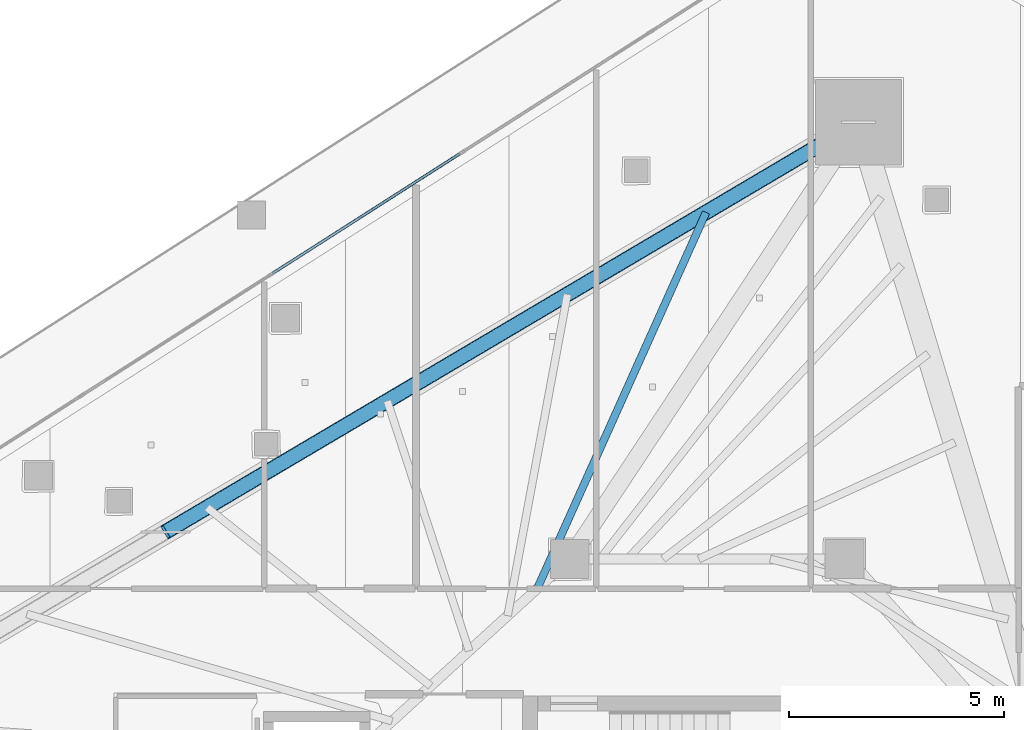
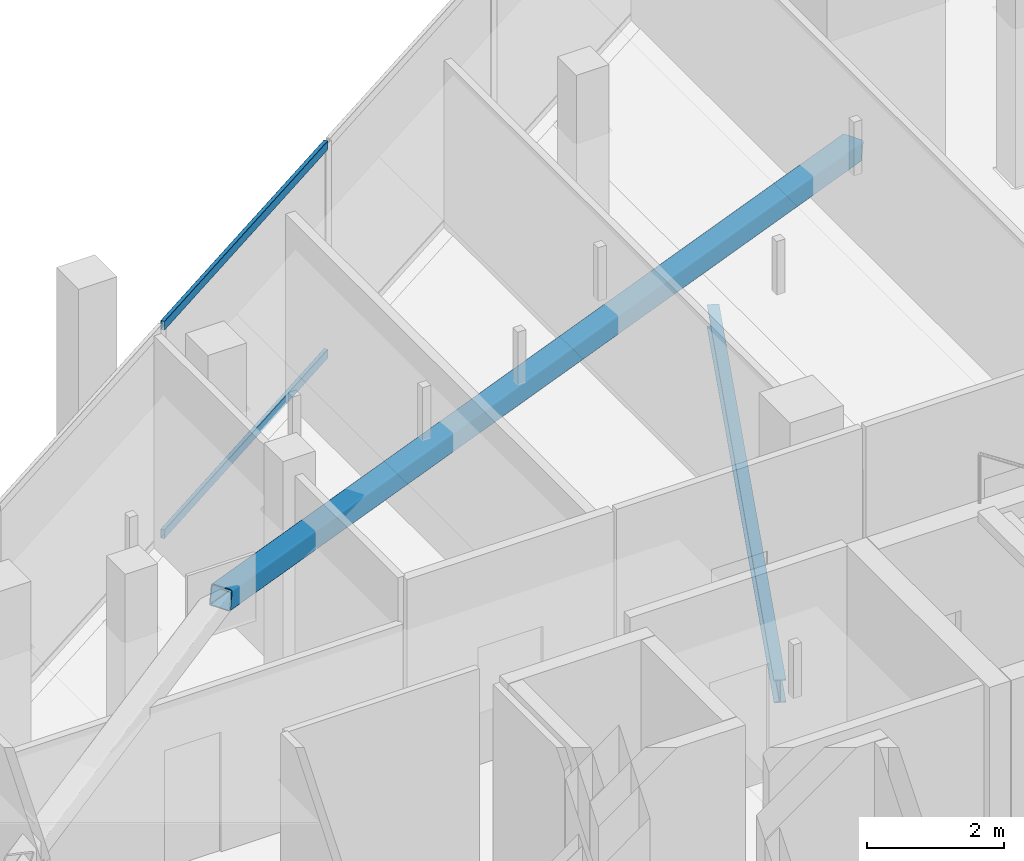
# One storey, part 21 of 43: 3 members, 1 beam, 1 element without a shape of its own.
"""IFC4 building model written with IfcOpenShell, lengths in metres."""

from ifc_helpers import new_model, si_unit, direction, frame, origin, origin_2d, place, context, subcontext, project, spatial, hollow_rectangle, i_section, extrude, material, layer, layer_set, material_profile, profile_set, type_object, element, aggregate, save


model = new_model("IFC4")

# Units and contexts
model_context = context("Model", 3, precision=1e-05, world=origin(), true_north=direction((0.0, 1.0)))
body_context = subcontext(model_context, "Body", "Model", "MODEL_VIEW")
ifc_project = project(units=[si_unit("LENGTHUNIT", "METRE"), si_unit("AREAUNIT", "SQUARE_METRE"), si_unit("VOLUMEUNIT", "CUBIC_METRE"), si_unit("PLANEANGLEUNIT", "RADIAN"), si_unit("MASSUNIT", "GRAM", prefix="KILO")], contexts=[model_context])

# Site, building, storey
site_placement = place(None, origin())
site = spatial("IfcSite", under=ifc_project, at=site_placement, CompositionType="ELEMENT")
building_placement = place(site_placement, origin())
building = spatial("IfcBuilding", under=site, at=building_placement, Name="Qorvath Tower", CompositionType="ELEMENT")
storey_placement = place(building_placement, frame((0.0, 0.0, 213.14990234375)))
storey = spatial("IfcBuildingStorey", under=building, at=storey_placement, Name="L49", CompositionType="ELEMENT", Elevation=213.14990234375)

# Beam
ifc_material_1 = material(Name="Steel ASTM A992 Grade 50", Category="steel")
ifc_material_profile_1 = material_profile(ifc_material_1, i_section(OverallWidth=0.177978515625, OverallDepth=0.406005859375, WebThickness=0.0078125, FlangeThickness=0.0126953125, FilletRadius=0.010986328125, at=origin_2d()), Name="W16x40")
ifc_profile_set_1 = profile_set([ifc_material_profile_1], Name="Steel ASTM A992 Grade 50")
beam_type = type_object("IfcBeamType", Name="BM-FJ3", PredefinedType="JOIST", material=ifc_profile_set_1)
beam_placement = place(storey_placement, frame((-24.35888671875, 10.757080078125, -0.472900390625), z_axis=(0.409327209141, 0.912387656568, 0.0), x_axis=(-0.912387656568, 0.409327209141, 0.0)))
element("IfcBeam", 1, at=beam_placement, inside=storey, type_object=beam_type, Name="Composite Floor Joist NW7 L49", PredefinedType="JOIST", context=body_context, shape_type="SweptSolid", body=[
    extrude(i_section(OverallWidth=0.177978515625, OverallDepth=0.406005859375, WebThickness=0.0078125, FlangeThickness=0.0126953125, FilletRadius=0.010986328125, at=origin_2d()), origin(), (0.0, 0.0, 1.0), 9.611083984375),
])

# Curtain wall, members
ifc_material_2 = material(Name="Anodised aluminium and triple low-E glass", Category="aluminium")
ifc_layer = layer(ifc_material_2, 0.179931640625)
ifc_layer_set = layer_set([ifc_layer], Name="CW-SYS-3")
curtain_wall_type = type_object("IfcCurtainWallType", Name="CW-SYS-3", PredefinedType="NOTDEFINED", material=ifc_layer_set)
curtain_wall_placement = place(storey_placement, origin())
curtain_wall = element("IfcCurtainWall", 2, at=curtain_wall_placement, inside=storey, type_object=curtain_wall_type, Name="Curtain Wall CW-3 CW-T-L49-16.1", PredefinedType="NOTDEFINED")
ifc_material_3 = material(Name="Anodised aluminium 6063-T6", Category="aluminium")
ifc_material_profile_2 = material_profile(ifc_material_3, hollow_rectangle(XDim=0.06494140625, YDim=0.159912109375, WallThickness=0.00341796875, InnerFilletRadius=0.00341796875, OuterFilletRadius=0.007080078125, at=origin_2d()), Name="CWT 160x65")
ifc_profile_set_2 = profile_set([ifc_material_profile_2], Name="Anodised aluminium 6063-T6")
member_type_1 = type_object("IfcMemberType", Name="CWT-160", PredefinedType="USERDEFINED", material=ifc_profile_set_2)
member_1_placement = place(storey_placement, frame((-26.158447265625, 20.89453125, 0.032470703125), z_axis=(-0.84262316261, -0.538503672999, 0.0), x_axis=(0.538503672999, -0.84262316261, 0.0)))
member_1 = element("IfcMember", 3, at=member_1_placement, type_object=member_type_1, Name="CW-3 transom 3.1", ObjectType="TRANSOM", PredefinedType="USERDEFINED", context=body_context, shape_type="SweptSolid", body=[
    extrude(hollow_rectangle(XDim=0.06494140625, YDim=0.159912109375, WallThickness=0.00341796875, InnerFilletRadius=0.00341796875, OuterFilletRadius=0.007080078125, at=origin_2d()), origin(), (0.0, 0.0, 1.0), 5.177978515625),
])
member_2_placement = place(storey_placement, frame((-26.158447265625, 20.89453125, 3.74755859375), z_axis=(-0.84262316261, -0.538503672999, 0.0), x_axis=(0.538503672999, -0.84262316261, 0.0)))
member_2 = element("IfcMember", 4, at=member_2_placement, type_object=member_type_1, Name="CW-3 transom 3.2", ObjectType="TRANSOM", PredefinedType="USERDEFINED", context=body_context, shape_type="SweptSolid", body=[
    extrude(hollow_rectangle(XDim=0.06494140625, YDim=0.159912109375, WallThickness=0.00341796875, InnerFilletRadius=0.00341796875, OuterFilletRadius=0.007080078125, at=origin_2d()), origin(), (0.0, 0.0, 1.0), 5.177978515625),
])
aggregate(curtain_wall, [member_1, member_2])

# Member
ifc_material_4 = material(Name="Steel ASTM A500 Grade C", Category="steel")
ifc_material_profile_3 = material_profile(ifc_material_4, hollow_rectangle(XDim=0.355712890625, YDim=0.355712890625, WallThickness=0.015869140625, InnerFilletRadius=0.015869140625, OuterFilletRadius=0.03173828125, at=origin_2d()), Name="HSS 356x356x16")
ifc_profile_set_3 = profile_set([ifc_material_profile_3], Name="Steel ASTM A500 Grade C")
member_type_2 = type_object("IfcMemberType", Name="MEM-MB2", PredefinedType="BRACE", material=ifc_profile_set_3)
member_3_placement = place(storey_placement, frame((-16.87158203125, 21.627197265625, 0.0), z_axis=(-0.846741468388, -0.500689925738, 0.179829040973), x_axis=(0.508987501872, -0.860773909304, 0.0)))
element("IfcMember", 5, at=member_3_placement, inside=storey, type_object=member_type_2, Name="Perimeter Chevron Brace L49-1A", PredefinedType="BRACE", context=body_context, shape_type="SweptSolid", body=[
    extrude(hollow_rectangle(XDim=0.355712890625, YDim=0.355712890625, WallThickness=0.015869140625, InnerFilletRadius=0.015869140625, OuterFilletRadius=0.03173828125, at=origin_2d()), origin(), (0.0, 0.0, 1.0), 19.0732421875),
])

save(model, "model.ifc")
